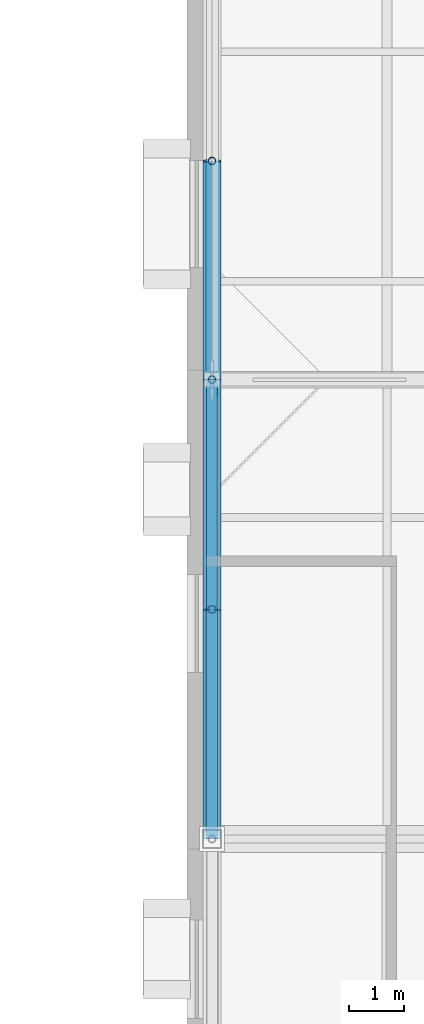
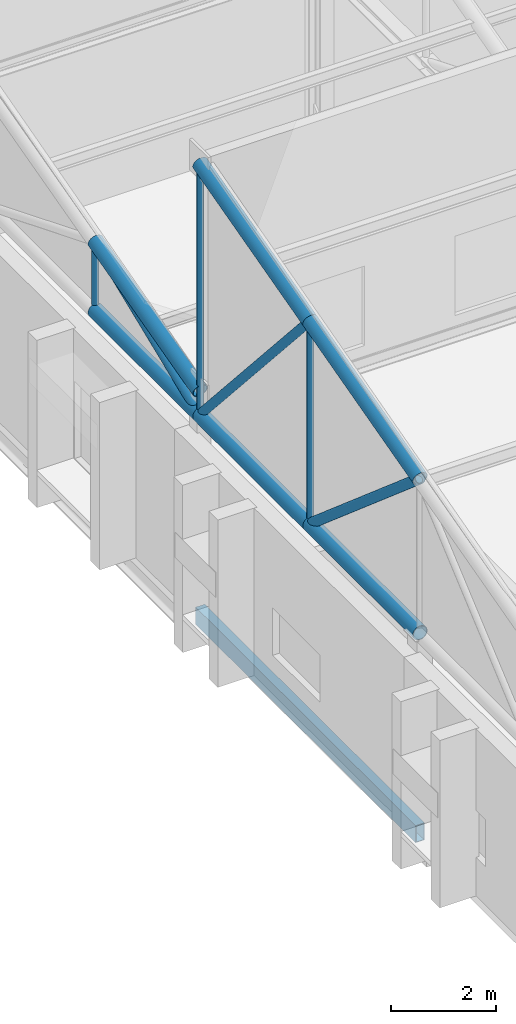
# One storey, part 29 of 89: 12 members, 1 beam.
"""IFC4 building model written with IfcOpenShell, lengths in metres."""

from ifc_helpers import new_model, si_unit, direction, frame, origin, origin_2d, place, context, subcontext, project, spatial, hollow_rectangle, hollow_circle, extrude, material, material_profile, profile_set, type_object, element, save


model = new_model("IFC4")

# Units and contexts
model_context = context("Model", 3, precision=1e-05, world=origin(), true_north=direction((0.0, 1.0)))
body_context = subcontext(model_context, "Body", "Model", "MODEL_VIEW")
ifc_project = project(units=[si_unit("LENGTHUNIT", "METRE"), si_unit("AREAUNIT", "SQUARE_METRE"), si_unit("VOLUMEUNIT", "CUBIC_METRE"), si_unit("PLANEANGLEUNIT", "RADIAN"), si_unit("MASSUNIT", "GRAM", prefix="KILO")], contexts=[model_context])

# Site, building, storey
site_placement = place(None, origin())
site = spatial("IfcSite", under=ifc_project, at=site_placement, CompositionType="ELEMENT")
building_placement = place(site_placement, origin())
building = spatial("IfcBuilding", under=site, at=building_placement, Name="Zereglee Splitstone Museum", CompositionType="ELEMENT")
storey_placement = place(building_placement, frame((0.0, 0.0, 21.300048828125)))
storey = spatial("IfcBuildingStorey", under=building, at=storey_placement, Name="L04", CompositionType="ELEMENT", Elevation=21.300048828125)

# Members
ifc_material = material(Name="Steel S355J2H", Category="steel")
ifc_material_profile_1 = material_profile(ifc_material, hollow_circle(Radius=0.096923828125, WallThickness=0.010009765625, at=origin_2d()), Name="CHS 193.7x10")
ifc_profile_set_1 = profile_set([ifc_material_profile_1], Name="Steel S355J2H")
member_type_1 = type_object("IfcMemberType", Name="TB-04", PredefinedType="BRACE", material=ifc_profile_set_1)
member_1_placement = place(storey_placement, frame((78.0, 38.39990234375, 4.199951171875), z_axis=(0.0, -0.664351853733, 0.747419971932), x_axis=(1.0, 0.0, 0.0)))
element("IfcMember", 1, at=member_1_placement, inside=storey, type_object=member_type_1, Name="Roof Truss ST-01 Diagonal 2.4", PredefinedType="BRACE", context=body_context, shape_type="SweptSolid", body=[
    extrude(hollow_circle(Radius=0.096923828125, WallThickness=0.010009765625, at=origin_2d()), origin(), (0.0, 0.0, 1.0), 6.32177734375),
])
ifc_material_profile_2 = material_profile(ifc_material, hollow_circle(Radius=0.109619140625, WallThickness=0.010009765625, at=origin_2d()), Name="CHS 219.1x10")
ifc_profile_set_2 = profile_set([ifc_material_profile_2], Name="Steel S355J2H")
member_type_2 = type_object("IfcMemberType", Name="TB-03", PredefinedType="BRACE", material=ifc_profile_set_2)
member_2_placement = place(storey_placement, frame((78.0, 34.199951171875, 4.199951171875), z_axis=(0.0, -0.759244140748, 0.650805911728), x_axis=(1.0, 0.0, 0.0)))
element("IfcMember", 2, at=member_2_placement, inside=storey, type_object=member_type_2, Name="Roof Truss ST-01 Diagonal 2.3", PredefinedType="BRACE", context=body_context, shape_type="SweptSolid", body=[
    extrude(hollow_circle(Radius=0.109619140625, WallThickness=0.010009765625, at=origin_2d()), origin(), (0.0, 0.0, 1.0), 5.53173828125),
])
member_3_placement = place(storey_placement, frame((78.0, 38.39990234375, 4.199951171875), z_axis=(0.0, 0.927136001435, 0.374725012299), x_axis=(-1.0, 0.0, 0.0)))
element("IfcMember", 3, at=member_3_placement, inside=storey, type_object=member_type_2, Name="Roof Truss ST-01 Diagonal 3.1", PredefinedType="BRACE", context=body_context, shape_type="SweptSolid", body=[
    extrude(hollow_circle(Radius=0.109619140625, WallThickness=0.010009765625, at=origin_2d()), origin(), (0.0, 0.0, 1.0), 4.314453125),
])
ifc_material_profile_3 = material_profile(ifc_material, hollow_circle(Radius=0.161865234375, WallThickness=0.01611328125, at=origin_2d()), Name="CHS 323.9x16")
ifc_profile_set_3 = profile_set([ifc_material_profile_3], Name="Steel S355J2H")
member_type_3 = type_object("IfcMemberType", Name="TC-05", PredefinedType="CHORD", material=ifc_profile_set_3)
member_4_placement = place(storey_placement, frame((78.0, 30.0, 4.199951171875), z_axis=(0.0, 1.0, 0.0), x_axis=(-1.0, 0.0, 0.0)))
element("IfcMember", 4, at=member_4_placement, inside=storey, type_object=member_type_3, Name="Roof Truss ST-01 Bottom Chord 2.3", PredefinedType="CHORD", context=body_context, shape_type="SweptSolid", body=[
    extrude(hollow_circle(Radius=0.161865234375, WallThickness=0.01611328125, at=origin_2d()), origin(), (0.0, 0.0, 1.0), 4.199951171875),
])
member_5_placement = place(storey_placement, frame((78.0, 30.0, 7.800048828125), z_axis=(0.0, 0.965947299715, 0.258738891884), x_axis=(-1.0, 0.0, 0.0)))
element("IfcMember", 5, at=member_5_placement, inside=storey, type_object=member_type_3, Name="Roof Truss ST-01 Top Chord 2.3", PredefinedType="CHORD", context=body_context, shape_type="SweptSolid", body=[
    extrude(hollow_circle(Radius=0.161865234375, WallThickness=0.01611328125, at=origin_2d()), origin(), (0.0, 0.0, 1.0), 4.347900390625),
])
member_6_placement = place(storey_placement, frame((78.0, 34.199951171875, 4.199951171875), z_axis=(0.0, 1.0, 0.0), x_axis=(-1.0, 0.0, 0.0)))
element("IfcMember", 6, at=member_6_placement, inside=storey, type_object=member_type_3, Name="Roof Truss ST-01 Bottom Chord 2.4", PredefinedType="CHORD", context=body_context, shape_type="SweptSolid", body=[
    extrude(hollow_circle(Radius=0.161865234375, WallThickness=0.01611328125, at=origin_2d()), origin(), (0.0, 0.0, 1.0), 4.199951171875),
])
member_7_placement = place(storey_placement, frame((78.0, 34.199951171875, 8.925048828125), z_axis=(0.0, 0.965947299715, 0.258738891884), x_axis=(-1.0, 0.0, 0.0)))
element("IfcMember", 7, at=member_7_placement, inside=storey, type_object=member_type_3, Name="Roof Truss ST-01 Top Chord 2.4", PredefinedType="CHORD", context=body_context, shape_type="SweptSolid", body=[
    extrude(hollow_circle(Radius=0.161865234375, WallThickness=0.01611328125, at=origin_2d()), origin(), (0.0, 0.0, 1.0), 4.347900390625),
])
member_8_placement = place(storey_placement, frame((78.0, 38.39990234375, 4.199951171875), z_axis=(0.0, 1.0, 0.0), x_axis=(-1.0, 0.0, 0.0)))
element("IfcMember", 8, at=member_8_placement, inside=storey, type_object=member_type_3, Name="Roof Truss ST-01 Bottom Chord 3.1", PredefinedType="CHORD", context=body_context, shape_type="SweptSolid", body=[
    extrude(hollow_circle(Radius=0.161865234375, WallThickness=0.01611328125, at=origin_2d()), origin(), (0.0, 0.0, 1.0), 4.0),
])
member_9_placement = place(storey_placement, frame((78.0, 38.39990234375, 4.75), z_axis=(0.0, 0.966235918422, 0.257658979955), x_axis=(-1.0, 0.0, 0.0)))
element("IfcMember", 9, at=member_9_placement, inside=storey, type_object=member_type_3, Name="Roof Truss ST-01 Top Chord 3.1", PredefinedType="CHORD", context=body_context, shape_type="SweptSolid", body=[
    extrude(hollow_circle(Radius=0.161865234375, WallThickness=0.01611328125, at=origin_2d()), origin(), (0.0, 0.0, 1.0), 4.139892578125),
])
ifc_material_profile_4 = material_profile(ifc_material, hollow_circle(Radius=0.06982421875, WallThickness=0.008056640625, at=origin_2d()), Name="CHS 139.7x8")
ifc_profile_set_4 = profile_set([ifc_material_profile_4], Name="Steel S355J2H")
member_type_4 = type_object("IfcMemberType", Name="TP-03", PredefinedType="POST", material=ifc_profile_set_4)
member_10_placement = place(storey_placement, frame((78.0, 34.199951171875, 4.199951171875), z_axis=(0.0, 0.0, 1.0), x_axis=(1.0, 0.0, 0.0)))
element("IfcMember", 10, at=member_10_placement, inside=storey, type_object=member_type_4, Name="Roof Truss ST-01 Post 2.3", PredefinedType="POST", context=body_context, shape_type="SweptSolid", body=[
    extrude(hollow_circle(Radius=0.06982421875, WallThickness=0.008056640625, at=origin_2d()), origin(), (0.0, 0.0, 1.0), 4.72509765625),
])
member_11_placement = place(storey_placement, frame((78.0, 38.39990234375, 4.199951171875), z_axis=(0.0, 0.0, 1.0), x_axis=(1.0, 0.0, 0.0)))
element("IfcMember", 11, at=member_11_placement, inside=storey, type_object=member_type_4, Name="Roof Truss ST-01 Post 2.4", PredefinedType="POST", context=body_context, shape_type="SweptSolid", body=[
    extrude(hollow_circle(Radius=0.06982421875, WallThickness=0.008056640625, at=origin_2d()), origin(), (0.0, 0.0, 1.0), 5.85009765625),
])
member_12_placement = place(storey_placement, frame((78.0, 42.39990234375, 4.199951171875), z_axis=(0.0, 0.0, 1.0), x_axis=(1.0, 0.0, 0.0)))
element("IfcMember", 12, at=member_12_placement, inside=storey, type_object=member_type_4, Name="Roof Truss ST-01 Post 3.1", PredefinedType="POST", context=body_context, shape_type="SweptSolid", body=[
    extrude(hollow_circle(Radius=0.06982421875, WallThickness=0.008056640625, at=origin_2d()), origin(), (0.0, 0.0, 1.0), 1.61669921875),
])

# Beam
ifc_material_profile_5 = material_profile(ifc_material, hollow_rectangle(XDim=0.199951171875, YDim=0.39990234375, WallThickness=0.01611328125, at=origin_2d()), Name="RHS 400x200x16")
ifc_profile_set_5 = profile_set([ifc_material_profile_5], Name="Steel S355J2H")
beam_type = type_object("IfcBeamType", Name="SP-04", PredefinedType="SPANDREL", material=ifc_profile_set_5)
beam_placement = place(storey_placement, frame((78.0, 30.0, -0.4599609375), z_axis=(0.0, 1.0, 0.0), x_axis=(-1.0, 0.0, 0.0)))
element("IfcBeam", 13, at=beam_placement, inside=storey, type_object=beam_type, Name="Primary Girder L04 10 (30.0-38.4)", PredefinedType="SPANDREL", context=body_context, shape_type="SweptSolid", body=[
    extrude(hollow_rectangle(XDim=0.199951171875, YDim=0.39990234375, WallThickness=0.01611328125, at=origin_2d()), origin(), (0.0, 0.0, 1.0), 8.39990234375),
])

save(model, "model.ifc")
